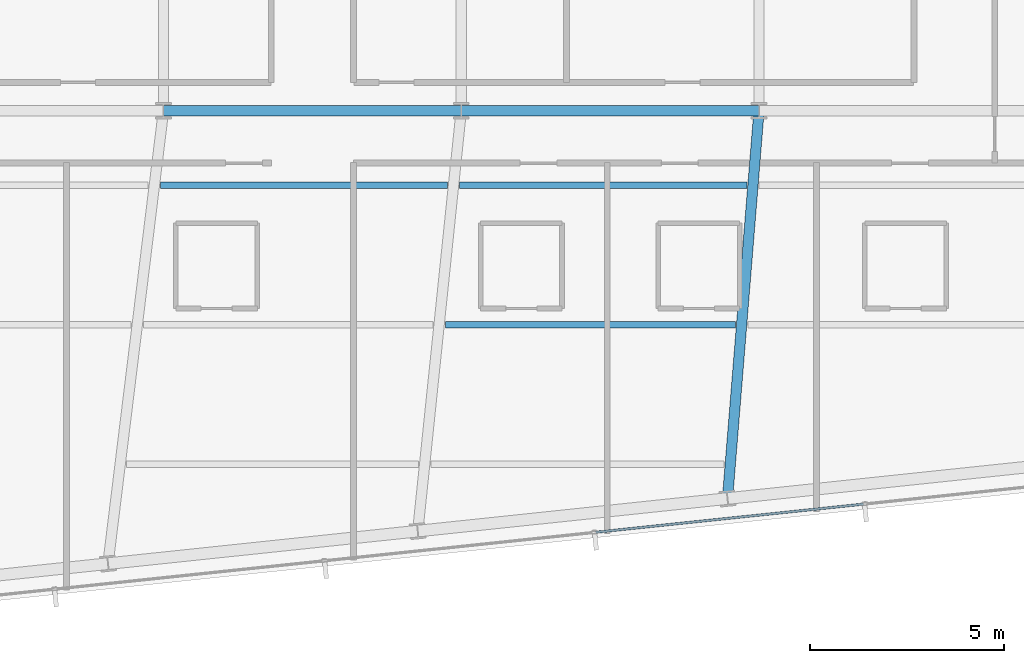
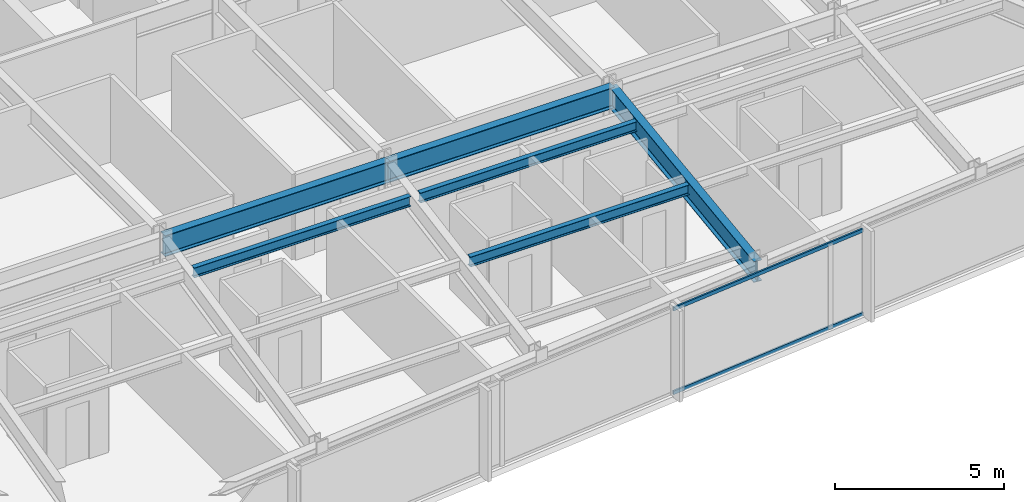
# One storey, part 9 of 33: 6 beams, 2 members, 1 element without a shape of its own.
"""IFC4 building model written with IfcOpenShell, lengths in metres."""

import ifcopenshell
import ifcopenshell.guid

model = None  # the IFC model being written
_history = None  # IfcOwnerHistory: only IFC2X3 demands one
_inside = {}  # id of a spatial element -> (the spatial element, [elements in it])
_under = {}  # id of a project, library or spatial element -> (it, [spatial elements below it])
_declared = {}  # id of a project -> (the project, [libraries it declares])
_typed = {}  # id of a type object -> (the type object, [elements of that type])
_made_of = {}  # id of a material, layer set ... -> (it, [elements and type objects made of it])


def new_model(schema):
    """Start an empty IFC model of exactly this schema.

    Asked for "IFC4X3", IfcOpenShell would pick the latest addendum, in which some entities
    have other attributes; the version numbers below select the first issue.
    IFC2X3 requires an IfcOwnerHistory on every rooted entity: one is made here for all.
    """
    global model, _history
    if schema == "IFC4X3":
        model = ifcopenshell.file(schema_version=(4, 3, 0, 0))
    else:
        model = ifcopenshell.file(schema=schema)
    _inside.clear()
    _under.clear()
    _declared.clear()
    _typed.clear()
    _made_of.clear()
    _history = None
    if model.schema == "IFC2X3":
        org = make("IfcOrganization", Name="unknown")
        user = make(
            "IfcPersonAndOrganization",
            ThePerson=make("IfcPerson", FamilyName="unknown"),
            TheOrganization=org,
        )
        app = make(
            "IfcApplication",
            ApplicationDeveloper=org,
            Version="unknown",
            ApplicationFullName="unknown",
            ApplicationIdentifier="unknown",
        )
        _history = make(
            "IfcOwnerHistory",
            OwningUser=user,
            OwningApplication=app,
            ChangeAction="ADDED",
            CreationDate=0,
        )
    return model


def make(cls, **values):
    """One entity of the class cls with the attributes given. An attribute that is None is left unset."""
    return model.create_entity(
        cls, **{name: value for name, value in values.items() if value is not None}
    )


def rooted(cls, **values):
    """An entity with a GlobalId (a new one), such as an element, a storey or a relation."""
    return make(cls, GlobalId=ifcopenshell.guid.new(), OwnerHistory=_history, **values)


def si_unit(unit_type, name, prefix=None):
    """IfcSIUnit, for example si_unit("LENGTHUNIT", "METRE", prefix="MILLI")."""
    return make("IfcSIUnit", UnitType=unit_type, Prefix=prefix, Name=name)


def assignment(units):
    """IfcUnitAssignment: the units of a project."""
    return None if units is None else make("IfcUnitAssignment", Units=units)


def point(xyz):
    """IfcCartesianPoint."""
    return None if xyz is None else make("IfcCartesianPoint", Coordinates=xyz)


def direction(xyz):
    """IfcDirection."""
    return None if xyz is None else make("IfcDirection", DirectionRatios=xyz)


def frame(location, z_axis=None, x_axis=None):
    """IfcAxis2Placement3D, a coordinate frame: its origin and axes. An axis left out is left unset."""
    return make(
        "IfcAxis2Placement3D",
        Location=point(location),
        Axis=direction(z_axis),
        RefDirection=direction(x_axis),
    )


def frame_2d(location, x_axis=None):
    """IfcAxis2Placement2D, a coordinate frame in the plane: its origin and x axis."""
    return make(
        "IfcAxis2Placement2D", Location=point(location), RefDirection=direction(x_axis)
    )


def origin():
    """The frame at (0, 0, 0) with its axes left unset."""
    return frame((0.0, 0.0, 0.0))


def origin_2d():
    """The frame at (0, 0) in the plane with its x axis left unset."""
    return frame_2d((0.0, 0.0))


def place(relative_to, where):
    """IfcLocalPlacement: puts the frame where relative to a parent placement (None: the world)."""
    return make(
        "IfcLocalPlacement", PlacementRelTo=relative_to, RelativePlacement=where
    )


def context(
    kind, dimensions, precision=None, world=None, true_north=None, identifier=None
):
    """IfcGeometricRepresentationContext, for example the 3D "Model" context."""
    return make(
        "IfcGeometricRepresentationContext",
        ContextIdentifier=identifier,
        ContextType=kind,
        CoordinateSpaceDimension=dimensions,
        Precision=precision,
        WorldCoordinateSystem=world,
        TrueNorth=true_north,
    )


def subcontext(parent, identifier, kind, view, scale=None):
    """IfcGeometricRepresentationSubContext, for example "Body" below "Model"."""
    return make(
        "IfcGeometricRepresentationSubContext",
        ContextIdentifier=identifier,
        ContextType=kind,
        ParentContext=parent,
        TargetScale=scale,
        TargetView=view,
    )


def project(units=None, contexts=None):
    """IfcProject with its units and contexts."""
    return rooted(
        "IfcProject",
        Name="project",
        RepresentationContexts=contexts,
        UnitsInContext=assignment(units),
    )


def spatial(cls, under=None, at=None, **own):
    """A site, building, storey or space (cls), placed at a placement, below another one or the project."""
    s = rooted(cls, ObjectPlacement=at, **own)
    if under is not None:
        _under.setdefault(under.id(), (under, []))[1].append(s)
    return s


def profile(cls, at=None, kind="AREA", **sizes):
    """A parametric profile (cls). Its sizes go by their IFC names, for example OverallWidth=200.0."""
    return make(cls, ProfileType=kind, Position=at, **sizes)


def hollow_rectangle(**sizes):
    """IfcRectangleHollowProfileDef."""
    return profile("IfcRectangleHollowProfileDef", **sizes)


def i_section(**sizes):
    """IfcIShapeProfileDef."""
    return profile("IfcIShapeProfileDef", **sizes)


def extrude(swept, where, along, depth):
    """IfcExtrudedAreaSolid: the profile swept, set in the frame where, extruded along a direction by depth."""
    return make(
        "IfcExtrudedAreaSolid",
        SweptArea=swept,
        Position=where,
        ExtrudedDirection=direction(along),
        Depth=depth,
    )


def shape(context_of_items, identifier, shape_type, items):
    """IfcShapeRepresentation: the items that make up one representation, for example the "Body"."""
    return make(
        "IfcShapeRepresentation",
        ContextOfItems=context_of_items,
        RepresentationIdentifier=identifier,
        RepresentationType=shape_type,
        Items=items,
    )


def material(Name=None, Category=None):
    """IfcMaterial."""
    return make("IfcMaterial", Name=Name, Category=Category)


def material_profile(
    of_material, cross_section, Name=None, Category=None, Priority=None
):
    """IfcMaterialProfile: a cross section and its material."""
    return make(
        "IfcMaterialProfile",
        Name=Name,
        Material=of_material,
        Profile=cross_section,
        Priority=Priority,
        Category=Category,
    )


def profile_set(profiles, Name=None, composite=None):
    """IfcMaterialProfileSet."""
    return make(
        "IfcMaterialProfileSet",
        Name=Name,
        MaterialProfiles=profiles,
        CompositeProfile=composite,
    )


def made_of(thing, what):
    """Note that an element or type object is made of a material, layer set ...; save() writes the relation."""
    if what is not None:
        _made_of.setdefault(what.id(), (what, []))[1].append(thing)
    return thing


def type_object(cls, material=None, **own):
    """A type object (cls), such as IfcWallType, which elements share."""
    return made_of(rooted(cls, **own), material)


def element(
    cls,
    number,
    at=None,
    inside=None,
    cuts=None,
    type_object=None,
    material=None,
    context=None,
    identifier="Body",
    shape_type=None,
    held_by="IfcProductDefinitionShape",
    body=None,
    shapes=None,
    **own,
):
    """One element of the class cls, such as IfcWall. Its Tag is "e" and its number.

    at: its placement. inside: the storey or other place that contains it. cuts: it is an
    opening in that element (IfcRelVoidsElement). A single representation is given by context,
    identifier, shape_type and body (its items); several are given by shapes. held_by: the class
    of the entity that holds the representations. save() writes the other relations.
    """
    e = rooted(cls, Tag="e%d" % number, ObjectPlacement=at, **own)
    if body is not None:
        shapes = [shape(context, identifier, shape_type, body)]
    if shapes is not None:
        e.Representation = make(held_by, Representations=shapes)
    if inside is not None:
        _inside.setdefault(inside.id(), (inside, []))[1].append(e)
    if cuts is not None:
        rooted(
            "IfcRelVoidsElement", RelatingBuildingElement=cuts, RelatedOpeningElement=e
        )
    if type_object is not None:
        _typed.setdefault(type_object.id(), (type_object, []))[1].append(e)
    return made_of(e, material)


def aggregate(whole, parts):
    """IfcRelAggregates: a whole, such as a stair, and the parts it consists of."""
    return rooted("IfcRelAggregates", RelatingObject=whole, RelatedObjects=parts)


def save(model, path):
    """Write the relations noted so far, then the file.

    IfcRelAggregates (storeys below a building ...), IfcRelContainedInSpatialStructure (elements
    in a storey), IfcRelDefinesByType, IfcRelAssociatesMaterial and IfcRelDeclares: one each for
    every whole, place, type object, material and project.
    """
    for whole, parts in _under.values():
        aggregate(whole, parts)
    for where, things in _inside.values():
        rooted(
            "IfcRelContainedInSpatialStructure",
            RelatedElements=things,
            RelatingStructure=where,
        )
    for kind, things in _typed.values():
        rooted("IfcRelDefinesByType", RelatedObjects=things, RelatingType=kind)
    for what, things in _made_of.values():
        rooted("IfcRelAssociatesMaterial", RelatedObjects=things, RelatingMaterial=what)
    for by, libraries in _declared.values():
        rooted("IfcRelDeclares", RelatingContext=by, RelatedDefinitions=libraries)
    model.write(path)


model = new_model("IFC4")

# Units and contexts
model_context = context("Model", 3, precision=1e-05, world=origin(), true_north=direction((0.0, 1.0)))
body_context = subcontext(model_context, "Body", "Model", "MODEL_VIEW")
ifc_project = project(units=[si_unit("LENGTHUNIT", "METRE"), si_unit("AREAUNIT", "SQUARE_METRE"), si_unit("VOLUMEUNIT", "CUBIC_METRE"), si_unit("PLANEANGLEUNIT", "RADIAN"), si_unit("MASSUNIT", "GRAM", prefix="KILO")], contexts=[model_context])

# Site, building, storey
site_placement = place(None, origin())
site = spatial("IfcSite", under=ifc_project, at=site_placement, CompositionType="ELEMENT")
building_placement = place(site_placement, origin())
building = spatial("IfcBuilding", under=site, at=building_placement, Name="Yelkora Congress Tower", CompositionType="ELEMENT")
storey_placement = place(building_placement, frame((0.0, 0.0, 224.300048828125)))
storey = spatial("IfcBuildingStorey", under=building, at=storey_placement, Name="L62", CompositionType="ELEMENT", Elevation=224.300048828125)

# Beams
ifc_material_1 = material(Name="Steel S355J2", Category="steel")
ifc_material_profile_1 = material_profile(ifc_material_1, i_section(OverallWidth=0.26708984375, OverallDepth=0.761962890625, WebThickness=0.014404296875, FlangeThickness=0.021484375, FilletRadius=0.01708984375, at=origin_2d()), Name="IPE 750x173")
ifc_profile_set_1 = profile_set([ifc_material_profile_1], Name="Steel S355J2")
beam_type_1 = type_object("IfcBeamType", Name="BM-GIRD-IPE750", PredefinedType="BEAM", material=ifc_profile_set_1)
beam_1_placement = place(storey_placement, frame((30.719970703125, 25.199951171875, 2.698974609375), z_axis=(1.0, 0.0, 0.0), x_axis=(0.0, 1.0, 0.0)))
element("IfcBeam", 1, at=beam_1_placement, inside=storey, type_object=beam_type_1, Name="L62 Spine Grid D Girder 3", PredefinedType="BEAM", context=body_context, shape_type="SweptSolid", body=[
    extrude(i_section(OverallWidth=0.26708984375, OverallDepth=0.761962890625, WebThickness=0.014404296875, FlangeThickness=0.021484375, FilletRadius=0.01708984375, at=origin_2d()), origin(), (0.0, 0.0, 1.0), 7.679931640625),
])
beam_2_placement = place(storey_placement, frame((38.39990234375, 25.199951171875, 2.698974609375), z_axis=(1.0, 0.0, 0.0), x_axis=(0.0, 1.0, 0.0)))
element("IfcBeam", 2, at=beam_2_placement, inside=storey, type_object=beam_type_1, Name="L62 Spine Grid D Girder 4", PredefinedType="BEAM", context=body_context, shape_type="SweptSolid", body=[
    extrude(i_section(OverallWidth=0.26708984375, OverallDepth=0.761962890625, WebThickness=0.014404296875, FlangeThickness=0.021484375, FilletRadius=0.01708984375, at=origin_2d()), origin(), (0.0, 0.0, 1.0), 7.68017578125),
])
beam_3_placement = place(storey_placement, frame((45.26708984375, 15.197509765625, 2.698974609375), z_axis=(0.081011831965, 0.996713139816, 0.0), x_axis=(-0.996713139816, 0.081011831965, 0.0)))
element("IfcBeam", 3, at=beam_3_placement, inside=storey, type_object=beam_type_1, Name="L62 Primary Frame Girder S04", PredefinedType="BEAM", context=body_context, shape_type="SweptSolid", body=[
    extrude(i_section(OverallWidth=0.26708984375, OverallDepth=0.761962890625, WebThickness=0.014404296875, FlangeThickness=0.021484375, FilletRadius=0.01708984375, at=origin_2d()), origin(), (0.0, 0.0, 1.0), 10.035400390625),
])
ifc_material_profile_2 = material_profile(ifc_material_1, i_section(OverallWidth=0.169921875, OverallDepth=0.360107421875, WebThickness=0.008056640625, FlangeThickness=0.0126953125, FilletRadius=0.01806640625, at=origin_2d()), Name="IPE 360")
ifc_profile_set_2 = profile_set([ifc_material_profile_2], Name="Steel S355J2")
beam_type_2 = type_object("IfcBeamType", Name="BM-JOIST-IPE360", PredefinedType="JOIST", material=ifc_profile_set_2)
beam_4_placement = place(storey_placement, frame((37.988525390625, 19.678466796875, 2.89990234375), z_axis=(1.0, 0.0, 0.0), x_axis=(0.0, 1.0, 0.0)))
element("IfcBeam", 4, at=beam_4_placement, inside=storey, type_object=beam_type_2, Name="L62 Composite Floor Joist 5", PredefinedType="JOIST", context=body_context, shape_type="SweptSolid", body=[
    extrude(i_section(OverallWidth=0.169921875, OverallDepth=0.360107421875, WebThickness=0.008056640625, FlangeThickness=0.0126953125, FilletRadius=0.01806640625, at=origin_2d()), origin(), (0.0, 0.0, 1.0), 7.482666015625),
])
beam_5_placement = place(storey_placement, frame((30.64453125, 23.278564453125, 2.89990234375), z_axis=(1.0, 0.0, 0.0), x_axis=(0.0, 1.0, 0.0)))
element("IfcBeam", 5, at=beam_5_placement, inside=storey, type_object=beam_type_2, Name="L62 Composite Floor Joist 10", PredefinedType="JOIST", context=body_context, shape_type="SweptSolid", body=[
    extrude(i_section(OverallWidth=0.169921875, OverallDepth=0.360107421875, WebThickness=0.008056640625, FlangeThickness=0.0126953125, FilletRadius=0.01806640625, at=origin_2d()), origin(), (0.0, 0.0, 1.0), 7.396484375),
])
beam_6_placement = place(storey_placement, frame((38.361083984375, 23.278564453125, 2.89990234375), z_axis=(1.0, 0.0, 0.0), x_axis=(0.0, 1.0, 0.0)))
element("IfcBeam", 6, at=beam_6_placement, inside=storey, type_object=beam_type_2, Name="L62 Composite Floor Joist 11", PredefinedType="JOIST", context=body_context, shape_type="SweptSolid", body=[
    extrude(i_section(OverallWidth=0.169921875, OverallDepth=0.360107421875, WebThickness=0.008056640625, FlangeThickness=0.0126953125, FilletRadius=0.01806640625, at=origin_2d()), origin(), (0.0, 0.0, 1.0), 7.40283203125),
])

# Curtain wall, members
ifc_material_2 = material(Name="Anodised aluminium and insulated glass", Category="aluminium")
curtain_wall_type = type_object("IfcCurtainWallType", Name="CW-SYS-B4", PredefinedType="NOTDEFINED", material=ifc_material_2)
curtain_wall_placement = place(storey_placement, origin())
curtain_wall = element("IfcCurtainWall", 7, at=curtain_wall_placement, inside=storey, type_object=curtain_wall_type, Name="L62 Unitised Curtain Wall 20", PredefinedType="NOTDEFINED")
ifc_material_3 = material(Name="Anodised aluminium 6063-T6", Category="aluminium")
ifc_material_profile_3 = material_profile(ifc_material_3, hollow_rectangle(XDim=0.06005859375, YDim=0.1298828125, WallThickness=0.00390625, at=origin_2d()), Name="ALU 60x130x4")
ifc_profile_set_3 = profile_set([ifc_material_profile_3], Name="Anodised aluminium 6063-T6")
member_type = type_object("IfcMemberType", Name="MEM-TR-B4", PredefinedType="USERDEFINED", material=ifc_profile_set_3)
member_1_placement = place(storey_placement, frame((48.770263671875, 15.052978515625, 0.030029296875), z_axis=(-0.99452356298, -0.104512595784, 0.0), x_axis=(0.104512595784, -0.99452356298, 0.0)))
member_1 = element("IfcMember", 8, at=member_1_placement, type_object=member_type, Name="CW-B4 transom 4.1", ObjectType="TRANSOM", PredefinedType="USERDEFINED", context=body_context, shape_type="SweptSolid", body=[
    extrude(hollow_rectangle(XDim=0.06005859375, YDim=0.1298828125, WallThickness=0.00390625, at=origin_2d()), origin(), (0.0, 0.0, 1.0), 6.93798828125),
])
member_2_placement = place(storey_placement, frame((48.770263671875, 15.052978515625, 3.050048828125), z_axis=(-0.99452356298, -0.104512595784, 0.0), x_axis=(0.104512595784, -0.99452356298, 0.0)))
member_2 = element("IfcMember", 9, at=member_2_placement, type_object=member_type, Name="CW-B4 transom 4.2", ObjectType="TRANSOM", PredefinedType="USERDEFINED", context=body_context, shape_type="SweptSolid", body=[
    extrude(hollow_rectangle(XDim=0.06005859375, YDim=0.1298828125, WallThickness=0.00390625, at=origin_2d()), origin(), (0.0, 0.0, 1.0), 6.93798828125),
])
aggregate(curtain_wall, [member_1, member_2])

save(model, "model.ifc")
